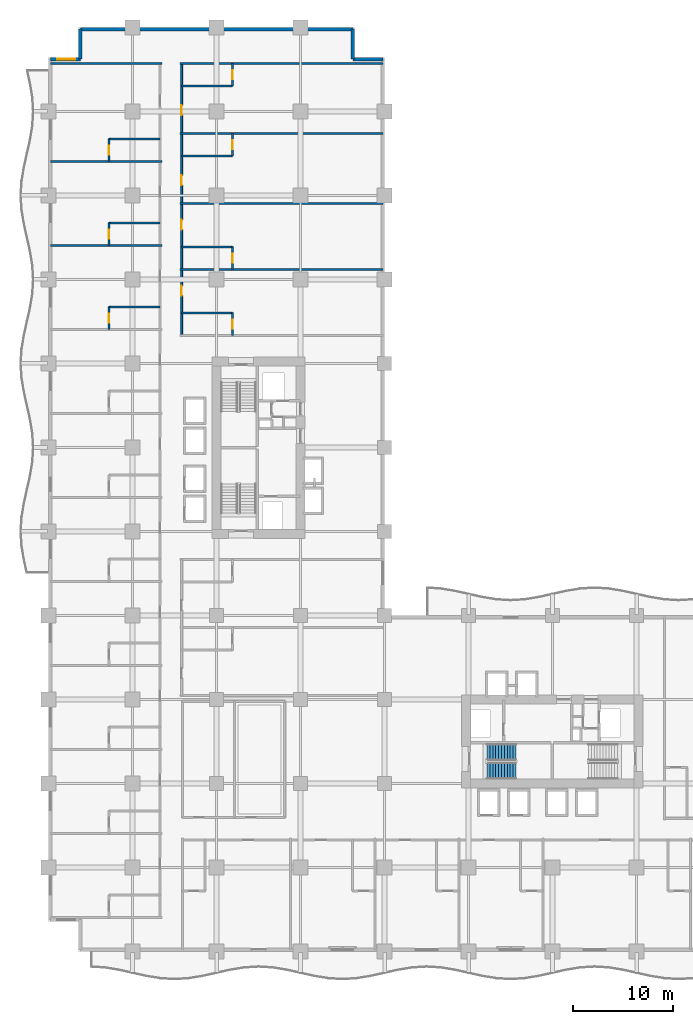
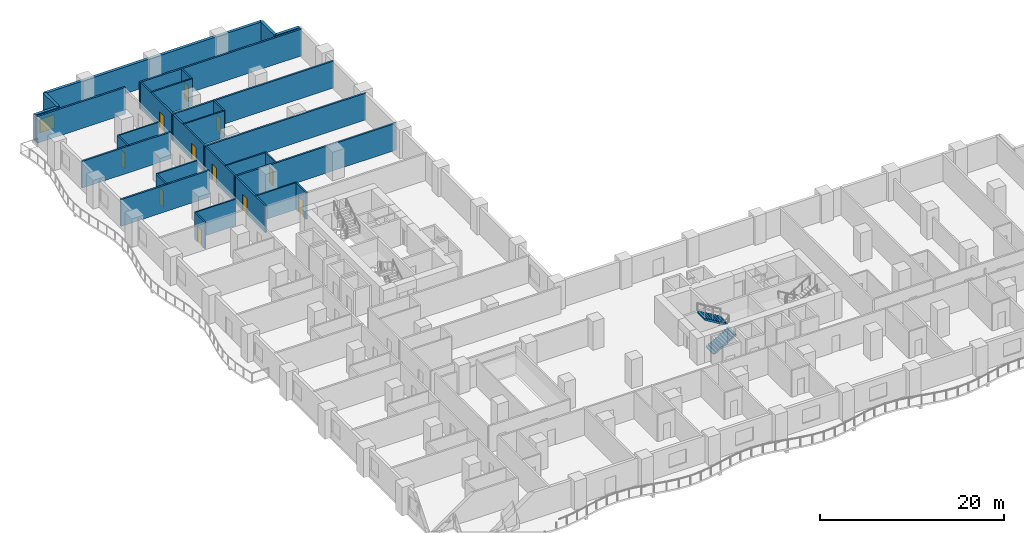
# One storey, part 20 of 26: 27 walls, 11 doors, 2 stair flights, 1 window, 12 openings, 1 element without a shape of its own.
"""IFC4 building model written with IfcOpenShell, lengths in metres."""

from ifc_helpers import new_model, si_unit, direction, frame, frame_2d, origin, place, context, subcontext, project, spatial, polyline, rectangle, outline, extrude, material, layer, layer_set, type_object, element, fill, aggregate, save


model = new_model("IFC4")

# Units and contexts
model_context = context("Model", 3, precision=1e-05, world=origin(), true_north=direction((0.0, 1.0)))
body_context = subcontext(model_context, "Body", "Model", "MODEL_VIEW")
ifc_project = project(units=[si_unit("LENGTHUNIT", "METRE"), si_unit("AREAUNIT", "SQUARE_METRE"), si_unit("VOLUMEUNIT", "CUBIC_METRE"), si_unit("PLANEANGLEUNIT", "RADIAN"), si_unit("MASSUNIT", "GRAM", prefix="KILO")], contexts=[model_context])

# Site, building, storey
site_placement = place(None, origin())
site = spatial("IfcSite", under=ifc_project, at=site_placement, CompositionType="ELEMENT")
building_placement = place(site_placement, origin())
building = spatial("IfcBuilding", under=site, at=building_placement, Name="Koriwani Terraces Tower", CompositionType="ELEMENT")
storey_placement = place(building_placement, frame((0.0, 0.0, 39.60009765625)))
storey = spatial("IfcBuildingStorey", under=building, at=storey_placement, Name="L08", CompositionType="ELEMENT", Elevation=39.60009765625)

# Wall, openings, doors
ifc_material_1 = material(Name="Autoclaved Cellular Concrete Blockwork", Category="masonry")
ifc_layer_1 = layer(ifc_material_1, 0.199951171875, Name="Autoclaved Cellular Concrete Blockwork")
ifc_layer_set_1 = layer_set([ifc_layer_1], Name="Autoclaved Cellular Concrete Blockwork")
wall_type_1 = type_object("IfcWallType", Name="WALL_CORRIDOR_200", PredefinedType="PARTITIONING", material=ifc_layer_set_1)
wall_1_placement = place(storey_placement, frame((13.300048828125, 61.60009765625, 0.0), z_axis=(0.0, 0.0, 1.0), x_axis=(0.0, 1.0, 0.0)))
wall_1 = element("IfcWall", 1, at=wall_1_placement, inside=storey, type_object=wall_type_1, Name="L08 Interior Wall WCOR-L08-NE-0", PredefinedType="PARTITIONING", context=body_context, shape_type="SweptSolid", body=[
    extrude(rectangle(XDim=27.199951171875, YDim=0.199951171875, at=frame_2d((13.60009765625, 0.0))), origin(), (0.0, 0.0, 1.0), 3.5498046875),
])
opening_1_placement = place(wall_1_placement, frame((3.965087890625, 0.0, 0.0)))
opening_1 = element("IfcOpeningElement", 2, at=opening_1_placement, cuts=wall_1, Name="Opening D-05", PredefinedType="OPENING", context=body_context, shape_type="SweptSolid", body=[
    extrude(rectangle(XDim=1.0, YDim=2.14990234375, at=frame_2d((0.5, 1.074951171875))), frame((0.0, 0.10986328125, 0.0), z_axis=(0.0, -1.0, 0.0), x_axis=(1.0, 0.0, 0.0)), (0.0, 0.0, 1.0), 0.219970703125),
])
opening_2_placement = place(wall_1_placement, frame((10.56494140625, 0.0, 0.0)))
opening_2 = element("IfcOpeningElement", 3, at=opening_2_placement, cuts=wall_1, Name="Opening D-05", PredefinedType="OPENING", context=body_context, shape_type="SweptSolid", body=[
    extrude(rectangle(XDim=1.0, YDim=2.14990234375, at=frame_2d((0.5, 1.074951171875))), frame((0.0, 0.10986328125, 0.0), z_axis=(0.0, -1.0, 0.0), x_axis=(1.0, 0.0, 0.0)), (0.0, 0.0, 1.0), 0.219970703125),
])
opening_3_placement = place(wall_1_placement, frame((15.034912109375, 0.0, 0.0)))
opening_3 = element("IfcOpeningElement", 4, at=opening_3_placement, cuts=wall_1, Name="Opening D-05", PredefinedType="OPENING", context=body_context, shape_type="SweptSolid", body=[
    extrude(rectangle(XDim=1.0, YDim=2.14990234375, at=frame_2d((0.5, 1.074951171875))), frame((0.0, 0.10986328125, 0.0), z_axis=(0.0, -1.0, 0.0), x_axis=(1.0, 0.0, 0.0)), (0.0, 0.0, 1.0), 0.219970703125),
])
opening_4_placement = place(wall_1_placement, frame((22.034912109375, 0.0, 0.0)))
opening_4 = element("IfcOpeningElement", 5, at=opening_4_placement, cuts=wall_1, Name="Opening D-05", PredefinedType="OPENING", context=body_context, shape_type="SweptSolid", body=[
    extrude(rectangle(XDim=1.0, YDim=2.14990234375, at=frame_2d((0.5, 1.074951171875))), frame((0.0, 0.10986328125, 0.0), z_axis=(0.0, -1.0, 0.0), x_axis=(1.0, 0.0, 0.0)), (0.0, 0.0, 1.0), 0.219970703125),
])
ifc_material_2 = material(Name="Architectural Oak Fire Door", Category="wood")
door_type_1 = type_object("IfcDoorType", Name="DOOR_SUITE_ENTRY_1000X2150", OperationType="NOTDEFINED", PredefinedType="DOOR", material=ifc_material_2)
door_1_placement = place(opening_1_placement, origin())
door_1 = element("IfcDoor", 6, at=door_1_placement, inside=storey, type_object=door_type_1, Name="Luxury Hotel Suite 08NE1 Entrance Door", OperationType="SINGLE_SWING_RIGHT", OverallHeight=2.14990234375, OverallWidth=1.0, PredefinedType="DOOR", context=body_context, shape_type="SweptSolid", body=[
    extrude(rectangle(XDim=1.0, YDim=2.14990234375, at=frame_2d((0.5, 1.074951171875))), frame((0.0, 0.02490234375, 0.0), z_axis=(0.0, -1.0, 0.0), x_axis=(1.0, 0.0, 0.0)), (0.0, 0.0, 1.0), 0.050048828125),
])
fill(opening_1, door_1)
door_2_placement = place(opening_2_placement, origin())
door_2 = element("IfcDoor", 7, at=door_2_placement, inside=storey, type_object=door_type_1, Name="Luxury Hotel Suite 08NE2 Entrance Door", OperationType="SINGLE_SWING_RIGHT", OverallHeight=2.14990234375, OverallWidth=1.0, PredefinedType="DOOR", context=body_context, shape_type="SweptSolid", body=[
    extrude(rectangle(XDim=1.0, YDim=2.14990234375, at=frame_2d((0.5, 1.074951171875))), frame((0.0, 0.02490234375, 0.0), z_axis=(0.0, -1.0, 0.0), x_axis=(1.0, 0.0, 0.0)), (0.0, 0.0, 1.0), 0.050048828125),
])
fill(opening_2, door_2)
door_3_placement = place(opening_3_placement, origin())
door_3 = element("IfcDoor", 8, at=door_3_placement, inside=storey, type_object=door_type_1, Name="Luxury Hotel Suite 08NE3 Entrance Door", OperationType="SINGLE_SWING_RIGHT", OverallHeight=2.14990234375, OverallWidth=1.0, PredefinedType="DOOR", context=body_context, shape_type="SweptSolid", body=[
    extrude(rectangle(XDim=1.0, YDim=2.14990234375, at=frame_2d((0.5, 1.074951171875))), frame((0.0, 0.02490234375, 0.0), z_axis=(0.0, -1.0, 0.0), x_axis=(1.0, 0.0, 0.0)), (0.0, 0.0, 1.0), 0.050048828125),
])
fill(opening_3, door_3)
door_4_placement = place(opening_4_placement, origin())
door_4 = element("IfcDoor", 9, at=door_4_placement, inside=storey, type_object=door_type_1, Name="Luxury Hotel Suite 08NE4 Entrance Door", OperationType="SINGLE_SWING_RIGHT", OverallHeight=2.14990234375, OverallWidth=1.0, PredefinedType="DOOR", context=body_context, shape_type="SweptSolid", body=[
    extrude(rectangle(XDim=1.0, YDim=2.14990234375, at=frame_2d((0.5, 1.074951171875))), frame((0.0, 0.02490234375, 0.0), z_axis=(0.0, -1.0, 0.0), x_axis=(1.0, 0.0, 0.0)), (0.0, 0.0, 1.0), 0.050048828125),
])
fill(opening_4, door_4)

# Walls
ifc_layer_2 = layer(ifc_material_1, 0.219970703125, Name="Autoclaved Cellular Concrete Blockwork")
ifc_layer_set_2 = layer_set([ifc_layer_2], Name="Autoclaved Cellular Concrete Blockwork")
wall_type_2 = type_object("IfcWallType", Name="WALL_DEMISING_220", PredefinedType="PARTITIONING", material=ifc_layer_set_2)
for number, where, z_axis, x_axis, name in (
    (10, (0.199951171875, 70.60009765625, 0.0), (0.0, 0.0, 1.0), (1.0, 0.0, 0.0), "L08 Interior Wall WDEM-L08-NW-8"),
    (11, (0.199951171875, 79.0, 0.0), (0.0, 0.0, 1.0), (1.0, 0.0, 0.0), "L08 Interior Wall WDEM-L08-NW-9"),
    (12, (0.199951171875, 88.800048828125, 0.0), (0.0, 0.0, 1.0), (1.0, 0.0, 0.0), "L08 Interior Wall WDEME-L08-NW"),
):
    element("IfcWall", number, at=place(storey_placement, frame(where, z_axis=z_axis, x_axis=x_axis)), inside=storey, type_object=wall_type_2, Name=name, PredefinedType="PARTITIONING", context=body_context, shape_type="SweptSolid", body=[
        extrude(rectangle(XDim=11.130126953125, YDim=0.219970703125, at=frame_2d((5.56494140625, 0.0))), origin(), (0.0, 0.0, 1.0), 3.5498046875),
    ])
for number, where, z_axis, x_axis, name in (
    (13, (13.14990234375, 68.199951171875, 0.0), (0.0, 0.0, 1.0), (1.0, 0.0, 0.0), "L08 Interior Wall WDEM-L08-NE-1"),
    (14, (13.14990234375, 74.800048828125, 0.0), (0.0, 0.0, 1.0), (1.0, 0.0, 0.0), "L08 Interior Wall WDEM-L08-NE-2"),
    (15, (13.14990234375, 81.800048828125, 0.0), (0.0, 0.0, 1.0), (1.0, 0.0, 0.0), "L08 Interior Wall WDEM-L08-NE-3"),
    (16, (13.14990234375, 88.800048828125, 0.0), (0.0, 0.0, 1.0), (1.0, 0.0, 0.0), "L08 Interior Wall WDEME-L08-NE"),
):
    element("IfcWall", number, at=place(storey_placement, frame(where, z_axis=z_axis, x_axis=x_axis)), inside=storey, type_object=wall_type_2, Name=name, PredefinedType="PARTITIONING", context=body_context, shape_type="SweptSolid", body=[
        extrude(rectangle(XDim=20.280029296875, YDim=0.219970703125, at=frame_2d((10.14013671875, 0.0))), origin(), (0.0, 0.0, 1.0), 3.5498046875),
    ])

# Wall, opening, window
ifc_material_3 = material(Name="Concrete C50/60", Category="concrete")
ifc_layer_3 = layer(ifc_material_3, 0.35009765625, Name="Concrete C50/60")
ifc_layer_set_3 = layer_set([ifc_layer_3], Name="Concrete C50/60")
wall_type_3 = type_object("IfcWallType", Name="WALL_EXT_BRUTALIST_350", PredefinedType="STANDARD", material=ifc_layer_set_3)
wall_2_placement = place(storey_placement, frame((0.175048828125, 89.22509765625, 0.0), z_axis=(0.0, 0.0, 1.0), x_axis=(1.0, 0.0, 0.0)))
wall_2 = element("IfcWall", 17, at=wall_2_placement, inside=storey, type_object=wall_type_3, Name="L08 Fair-Faced Brutalist Exterior Wall (N3)", PredefinedType="STANDARD", context=body_context, shape_type="SweptSolid", body=[
    extrude(rectangle(XDim=3.0, YDim=0.35009765625, at=frame_2d((1.5, 0.0))), origin(), (0.0, 0.0, 1.0), 3.5498046875),
])
opening_5_placement = place(wall_2_placement, frame((0.677490234375, 0.0, 0.85009765625)))
opening_5 = element("IfcOpeningElement", 18, at=opening_5_placement, cuts=wall_2, Name="Opening W-04", PredefinedType="OPENING", context=body_context, shape_type="SweptSolid", body=[
    extrude(rectangle(XDim=1.800048828125, YDim=1.800048828125, at=frame_2d((0.89990234375, 0.89990234375))), frame((0.0, 0.18505859375, 0.0), z_axis=(0.0, -1.0, 0.0), x_axis=(1.0, 0.0, 0.0)), (0.0, 0.0, 1.0), 0.3701171875),
])
ifc_material_4 = material(Name="Tempered Laminated Low-E Glass", Category="glass")
window_type = type_object("IfcWindowType", Name="WIN_RES_BED_1800X1800", PartitioningType="DOUBLE_PANEL_VERTICAL", PredefinedType="WINDOW", material=ifc_material_4)
window_placement = place(opening_5_placement, origin())
window = element("IfcWindow", 19, at=window_placement, inside=storey, type_object=window_type, Name="L08 Exterior Window (N3-R54)", OverallHeight=1.800048828125, OverallWidth=1.800048828125, PartitioningType="SINGLE_PANEL", PredefinedType="WINDOW", context=body_context, shape_type="SweptSolid", body=[
    extrude(rectangle(XDim=1.800048828125, YDim=1.800048828125, at=frame_2d((0.89990234375, 0.89990234375))), frame((0.0, 0.030029296875, 0.0), z_axis=(0.0, -1.0, 0.0), x_axis=(1.0, 0.0, 0.0)), (0.0, 0.0, 1.0), 0.06005859375),
])
fill(opening_5, window)

# Walls
wall_3_placement = place(storey_placement, frame((3.175048828125, 89.22509765625, 0.0), z_axis=(0.0, 0.0, 1.0), x_axis=(0.0, 1.0, 0.0)))
element("IfcWall", 20, at=wall_3_placement, inside=storey, type_object=wall_type_3, Name="L08 Fair-Faced Brutalist Exterior Wall (N4)", PredefinedType="STANDARD", context=body_context, shape_type="SweptSolid", body=[
    extrude(rectangle(XDim=3.0, YDim=0.35009765625, at=frame_2d((1.5, 0.0))), origin(), (0.0, 0.0, 1.0), 3.5498046875),
])
wall_4_placement = place(storey_placement, frame((3.175048828125, 92.22509765625, 0.0), z_axis=(0.0, 0.0, 1.0), x_axis=(1.0, 0.0, 0.0)))
element("IfcWall", 21, at=wall_4_placement, inside=storey, type_object=wall_type_3, Name="L08 Fair-Faced Brutalist Exterior Wall (N_TIP)", PredefinedType="STANDARD", context=body_context, shape_type="SweptSolid", body=[
    extrude(rectangle(XDim=27.25, YDim=0.35009765625, at=frame_2d((13.625, 0.0))), origin(), (0.0, 0.0, 1.0), 3.5498046875),
])
for number, where, z_axis, x_axis, name in (
    (22, (30.425048828125, 92.22509765625, 0.0), (0.0, 0.0, 1.0), (0.0, -1.0, 0.0), "L08 Fair-Faced Brutalist Exterior Wall (N6)"),
    (23, (30.425048828125, 89.22509765625, 0.0), (0.0, 0.0, 1.0), (1.0, 0.0, 0.0), "L08 Fair-Faced Brutalist Exterior Wall (N7)"),
):
    element("IfcWall", number, at=place(storey_placement, frame(where, z_axis=z_axis, x_axis=x_axis)), inside=storey, type_object=wall_type_3, Name=name, PredefinedType="STANDARD", context=body_context, shape_type="SweptSolid", body=[
        extrude(rectangle(XDim=3.0, YDim=0.35009765625, at=frame_2d((1.5, 0.0))), origin(), (0.0, 0.0, 1.0), 3.5498046875),
    ])

# Wall, opening, door
ifc_material_5 = material(Name="Fire-Rated Acoustic Gypsum Partition", Category="masonry")
ifc_layer_4 = layer(ifc_material_5, 0.179931640625, Name="Fire-Rated Acoustic Gypsum Partition")
ifc_layer_set_4 = layer_set([ifc_layer_4], Name="Fire-Rated Acoustic Gypsum Partition")
wall_type_4 = type_object("IfcWallType", Name="WALL_PLUMBING_180", PredefinedType="PLUMBINGWALL", material=ifc_layer_set_4)
wall_5_placement = place(storey_placement, frame((6.050048828125, 62.199951171875, 0.0), z_axis=(0.0, 0.0, 1.0), x_axis=(0.0, 1.0, 0.0)))
wall_5 = element("IfcWall", 24, at=wall_5_placement, inside=storey, type_object=wall_type_4, Name="L08 Interior Wall WBTH1-L08-NW-7", PredefinedType="PLUMBINGWALL", context=body_context, shape_type="SweptSolid", body=[
    extrude(rectangle(XDim=2.25, YDim=0.179931640625, at=frame_2d((1.125, 0.0))), origin(), (0.0, 0.0, 1.0), 3.5498046875),
])
opening_6_placement = place(wall_5_placement, frame((0.675048828125, 0.0, 0.0)))
opening_6 = element("IfcOpeningElement", 25, at=opening_6_placement, cuts=wall_5, Name="Opening D-07", PredefinedType="OPENING", context=body_context, shape_type="SweptSolid", body=[
    extrude(rectangle(XDim=0.89990234375, YDim=2.10009765625, at=frame_2d((0.449951171875, 1.050048828125))), frame((0.0, 0.10009765625, 0.0), z_axis=(0.0, -1.0, 0.0), x_axis=(1.0, 0.0, 0.0)), (0.0, 0.0, 1.0), 0.199951171875),
])
door_type_2 = type_object("IfcDoorType", Name="DOOR_BATH_INT_900X2100", OperationType="NOTDEFINED", PredefinedType="DOOR", material=ifc_material_2)
door_5_placement = place(opening_6_placement, origin())
door_5 = element("IfcDoor", 26, at=door_5_placement, inside=storey, type_object=door_type_2, Name="En-Suite Bathroom 08NW8 Door", OperationType="SINGLE_SWING_LEFT", OverallHeight=2.10009765625, OverallWidth=0.89990234375, PredefinedType="DOOR", context=body_context, shape_type="SweptSolid", body=[
    extrude(rectangle(XDim=0.89990234375, YDim=2.10009765625, at=frame_2d((0.449951171875, 1.050048828125))), frame((0.0, 0.02490234375, 0.0), z_axis=(0.0, -1.0, 0.0), x_axis=(1.0, 0.0, 0.0)), (0.0, 0.0, 1.0), 0.050048828125),
])
fill(opening_6, door_5)

# Wall
wall_6_placement = place(storey_placement, frame((6.050048828125, 64.449951171875, 0.0), z_axis=(0.0, 0.0, 1.0), x_axis=(1.0, 0.0, 0.0)))
element("IfcWall", 27, at=wall_6_placement, inside=storey, type_object=wall_type_4, Name="L08 Interior Wall WBTH2-L08-NW-7", PredefinedType="PLUMBINGWALL", context=body_context, shape_type="SweptSolid", body=[
    extrude(rectangle(XDim=5.099853515625, YDim=0.179931640625, at=frame_2d((2.5498046875, 0.0))), origin(), (0.0, 0.0, 1.0), 3.5498046875),
])

# Wall, opening, door
wall_7_placement = place(storey_placement, frame((6.050048828125, 70.60009765625, 0.0), z_axis=(0.0, 0.0, 1.0), x_axis=(0.0, 1.0, 0.0)))
wall_7 = element("IfcWall", 28, at=wall_7_placement, inside=storey, type_object=wall_type_4, Name="L08 Interior Wall WBTH1-L08-NW-8", PredefinedType="PLUMBINGWALL", context=body_context, shape_type="SweptSolid", body=[
    extrude(rectangle(XDim=2.25, YDim=0.179931640625, at=frame_2d((1.125, 0.0))), origin(), (0.0, 0.0, 1.0), 3.5498046875),
])
opening_7_placement = place(wall_7_placement, frame((0.675048828125, 0.0, 0.0)))
opening_7 = element("IfcOpeningElement", 29, at=opening_7_placement, cuts=wall_7, Name="Opening D-07", PredefinedType="OPENING", context=body_context, shape_type="SweptSolid", body=[
    extrude(rectangle(XDim=0.89990234375, YDim=2.10009765625, at=frame_2d((0.449951171875, 1.050048828125))), frame((0.0, 0.10009765625, 0.0), z_axis=(0.0, -1.0, 0.0), x_axis=(1.0, 0.0, 0.0)), (0.0, 0.0, 1.0), 0.199951171875),
])
door_6_placement = place(opening_7_placement, origin())
door_6 = element("IfcDoor", 30, at=door_6_placement, inside=storey, type_object=door_type_2, Name="En-Suite Bathroom 08NW9 Door", OperationType="SINGLE_SWING_LEFT", OverallHeight=2.10009765625, OverallWidth=0.89990234375, PredefinedType="DOOR", context=body_context, shape_type="SweptSolid", body=[
    extrude(rectangle(XDim=0.89990234375, YDim=2.10009765625, at=frame_2d((0.449951171875, 1.050048828125))), frame((0.0, 0.02490234375, 0.0), z_axis=(0.0, -1.0, 0.0), x_axis=(1.0, 0.0, 0.0)), (0.0, 0.0, 1.0), 0.050048828125),
])
fill(opening_7, door_6)

# Wall
wall_8_placement = place(storey_placement, frame((6.050048828125, 72.85009765625, 0.0), z_axis=(0.0, 0.0, 1.0), x_axis=(1.0, 0.0, 0.0)))
element("IfcWall", 31, at=wall_8_placement, inside=storey, type_object=wall_type_4, Name="L08 Interior Wall WBTH2-L08-NW-8", PredefinedType="PLUMBINGWALL", context=body_context, shape_type="SweptSolid", body=[
    extrude(rectangle(XDim=5.099853515625, YDim=0.179931640625, at=frame_2d((2.5498046875, 0.0))), origin(), (0.0, 0.0, 1.0), 3.5498046875),
])

# Wall, opening, door
wall_9_placement = place(storey_placement, frame((6.050048828125, 79.0, 0.0), z_axis=(0.0, 0.0, 1.0), x_axis=(0.0, 1.0, 0.0)))
wall_9 = element("IfcWall", 32, at=wall_9_placement, inside=storey, type_object=wall_type_4, Name="L08 Interior Wall WBTH1-L08-NW-9", PredefinedType="PLUMBINGWALL", context=body_context, shape_type="SweptSolid", body=[
    extrude(rectangle(XDim=2.25, YDim=0.179931640625, at=frame_2d((1.125, 0.0))), origin(), (0.0, 0.0, 1.0), 3.5498046875),
])
opening_8_placement = place(wall_9_placement, frame((0.675048828125, 0.0, 0.0)))
opening_8 = element("IfcOpeningElement", 33, at=opening_8_placement, cuts=wall_9, Name="Opening D-07", PredefinedType="OPENING", context=body_context, shape_type="SweptSolid", body=[
    extrude(rectangle(XDim=0.89990234375, YDim=2.10009765625, at=frame_2d((0.449951171875, 1.050048828125))), frame((0.0, 0.10009765625, 0.0), z_axis=(0.0, -1.0, 0.0), x_axis=(1.0, 0.0, 0.0)), (0.0, 0.0, 1.0), 0.199951171875),
])
door_7_placement = place(opening_8_placement, origin())
door_7 = element("IfcDoor", 34, at=door_7_placement, inside=storey, type_object=door_type_2, Name="En-Suite Bathroom 08NW10 Door", OperationType="SINGLE_SWING_LEFT", OverallHeight=2.10009765625, OverallWidth=0.89990234375, PredefinedType="DOOR", context=body_context, shape_type="SweptSolid", body=[
    extrude(rectangle(XDim=0.89990234375, YDim=2.10009765625, at=frame_2d((0.449951171875, 1.050048828125))), frame((0.0, 0.02490234375, 0.0), z_axis=(0.0, -1.0, 0.0), x_axis=(1.0, 0.0, 0.0)), (0.0, 0.0, 1.0), 0.050048828125),
])
fill(opening_8, door_7)

# Wall
wall_10_placement = place(storey_placement, frame((6.050048828125, 81.25, 0.0), z_axis=(0.0, 0.0, 1.0), x_axis=(1.0, 0.0, 0.0)))
element("IfcWall", 35, at=wall_10_placement, inside=storey, type_object=wall_type_4, Name="L08 Interior Wall WBTH2-L08-NW-9", PredefinedType="PLUMBINGWALL", context=body_context, shape_type="SweptSolid", body=[
    extrude(rectangle(XDim=5.099853515625, YDim=0.179931640625, at=frame_2d((2.5498046875, 0.0))), origin(), (0.0, 0.0, 1.0), 3.5498046875),
])

# Wall, opening, door
wall_11_placement = place(storey_placement, frame((18.39990234375, 61.60009765625, 0.0), z_axis=(0.0, 0.0, 1.0), x_axis=(0.0, 1.0, 0.0)))
wall_11 = element("IfcWall", 36, at=wall_11_placement, inside=storey, type_object=wall_type_4, Name="L08 Interior Wall WBTH1-L08-NE-0", PredefinedType="PLUMBINGWALL", context=body_context, shape_type="SweptSolid", body=[
    extrude(rectangle(XDim=2.25, YDim=0.179931640625, at=frame_2d((1.125, 0.0))), origin(), (0.0, 0.0, 1.0), 3.5498046875),
])
opening_9_placement = place(wall_11_placement, frame((0.675048828125, 0.0, 0.0)))
opening_9 = element("IfcOpeningElement", 37, at=opening_9_placement, cuts=wall_11, Name="Opening D-07", PredefinedType="OPENING", context=body_context, shape_type="SweptSolid", body=[
    extrude(rectangle(XDim=0.89990234375, YDim=2.10009765625, at=frame_2d((0.449951171875, 1.050048828125))), frame((0.0, 0.10009765625, 0.0), z_axis=(0.0, -1.0, 0.0), x_axis=(1.0, 0.0, 0.0)), (0.0, 0.0, 1.0), 0.199951171875),
])
door_8_placement = place(opening_9_placement, origin())
door_8 = element("IfcDoor", 38, at=door_8_placement, inside=storey, type_object=door_type_2, Name="En-Suite Bathroom 08NE1 Door", OperationType="SINGLE_SWING_LEFT", OverallHeight=2.10009765625, OverallWidth=0.89990234375, PredefinedType="DOOR", context=body_context, shape_type="SweptSolid", body=[
    extrude(rectangle(XDim=0.89990234375, YDim=2.10009765625, at=frame_2d((0.449951171875, 1.050048828125))), frame((0.0, 0.02490234375, 0.0), z_axis=(0.0, -1.0, 0.0), x_axis=(1.0, 0.0, 0.0)), (0.0, 0.0, 1.0), 0.050048828125),
])
fill(opening_9, door_8)

# Wall
wall_12_placement = place(storey_placement, frame((13.300048828125, 63.85009765625, 0.0), z_axis=(0.0, 0.0, 1.0), x_axis=(1.0, 0.0, 0.0)))
element("IfcWall", 39, at=wall_12_placement, inside=storey, type_object=wall_type_4, Name="L08 Interior Wall WBTH2-L08-NE-0", PredefinedType="PLUMBINGWALL", context=body_context, shape_type="SweptSolid", body=[
    extrude(rectangle(XDim=5.099853515625, YDim=0.179931640625, at=frame_2d((2.5498046875, 0.0))), origin(), (0.0, 0.0, 1.0), 3.5498046875),
])

# Wall, opening, door
wall_13_placement = place(storey_placement, frame((18.39990234375, 68.199951171875, 0.0), z_axis=(0.0, 0.0, 1.0), x_axis=(0.0, 1.0, 0.0)))
wall_13 = element("IfcWall", 40, at=wall_13_placement, inside=storey, type_object=wall_type_4, Name="L08 Interior Wall WBTH1-L08-NE-1", PredefinedType="PLUMBINGWALL", context=body_context, shape_type="SweptSolid", body=[
    extrude(rectangle(XDim=2.25, YDim=0.179931640625, at=frame_2d((1.125, 0.0))), origin(), (0.0, 0.0, 1.0), 3.5498046875),
])
opening_10_placement = place(wall_13_placement, frame((0.675048828125, 0.0, 0.0)))
opening_10 = element("IfcOpeningElement", 41, at=opening_10_placement, cuts=wall_13, Name="Opening D-07", PredefinedType="OPENING", context=body_context, shape_type="SweptSolid", body=[
    extrude(rectangle(XDim=0.89990234375, YDim=2.10009765625, at=frame_2d((0.449951171875, 1.050048828125))), frame((0.0, 0.10009765625, 0.0), z_axis=(0.0, -1.0, 0.0), x_axis=(1.0, 0.0, 0.0)), (0.0, 0.0, 1.0), 0.199951171875),
])
door_9_placement = place(opening_10_placement, origin())
door_9 = element("IfcDoor", 42, at=door_9_placement, inside=storey, type_object=door_type_2, Name="En-Suite Bathroom 08NE2 Door", OperationType="SINGLE_SWING_LEFT", OverallHeight=2.10009765625, OverallWidth=0.89990234375, PredefinedType="DOOR", context=body_context, shape_type="SweptSolid", body=[
    extrude(rectangle(XDim=0.89990234375, YDim=2.10009765625, at=frame_2d((0.449951171875, 1.050048828125))), frame((0.0, 0.02490234375, 0.0), z_axis=(0.0, -1.0, 0.0), x_axis=(1.0, 0.0, 0.0)), (0.0, 0.0, 1.0), 0.050048828125),
])
fill(opening_10, door_9)

# Wall
wall_14_placement = place(storey_placement, frame((13.300048828125, 70.449951171875, 0.0), z_axis=(0.0, 0.0, 1.0), x_axis=(1.0, 0.0, 0.0)))
element("IfcWall", 43, at=wall_14_placement, inside=storey, type_object=wall_type_4, Name="L08 Interior Wall WBTH2-L08-NE-1", PredefinedType="PLUMBINGWALL", context=body_context, shape_type="SweptSolid", body=[
    extrude(rectangle(XDim=5.099853515625, YDim=0.179931640625, at=frame_2d((2.5498046875, 0.0))), origin(), (0.0, 0.0, 1.0), 3.5498046875),
])

# Wall, opening, door
wall_15_placement = place(storey_placement, frame((18.39990234375, 79.550048828125, 0.0), z_axis=(0.0, 0.0, 1.0), x_axis=(0.0, 1.0, 0.0)))
wall_15 = element("IfcWall", 44, at=wall_15_placement, inside=storey, type_object=wall_type_4, Name="L08 Interior Wall WBTH1-L08-NE-2", PredefinedType="PLUMBINGWALL", context=body_context, shape_type="SweptSolid", body=[
    extrude(rectangle(XDim=2.25, YDim=0.179931640625, at=frame_2d((1.125, 0.0))), origin(), (0.0, 0.0, 1.0), 3.5498046875),
])
opening_11_placement = place(wall_15_placement, frame((0.675048828125, 0.0, 0.0)))
opening_11 = element("IfcOpeningElement", 45, at=opening_11_placement, cuts=wall_15, Name="Opening D-07", PredefinedType="OPENING", context=body_context, shape_type="SweptSolid", body=[
    extrude(rectangle(XDim=0.89990234375, YDim=2.10009765625, at=frame_2d((0.449951171875, 1.050048828125))), frame((0.0, 0.10009765625, 0.0), z_axis=(0.0, -1.0, 0.0), x_axis=(1.0, 0.0, 0.0)), (0.0, 0.0, 1.0), 0.199951171875),
])
door_10_placement = place(opening_11_placement, origin())
door_10 = element("IfcDoor", 46, at=door_10_placement, inside=storey, type_object=door_type_2, Name="En-Suite Bathroom 08NE3 Door", OperationType="SINGLE_SWING_LEFT", OverallHeight=2.10009765625, OverallWidth=0.89990234375, PredefinedType="DOOR", context=body_context, shape_type="SweptSolid", body=[
    extrude(rectangle(XDim=0.89990234375, YDim=2.10009765625, at=frame_2d((0.449951171875, 1.050048828125))), frame((0.0, 0.02490234375, 0.0), z_axis=(0.0, -1.0, 0.0), x_axis=(1.0, 0.0, 0.0)), (0.0, 0.0, 1.0), 0.050048828125),
])
fill(opening_11, door_10)

# Wall
wall_16_placement = place(storey_placement, frame((13.300048828125, 79.550048828125, 0.0), z_axis=(0.0, 0.0, 1.0), x_axis=(1.0, 0.0, 0.0)))
element("IfcWall", 47, at=wall_16_placement, inside=storey, type_object=wall_type_4, Name="L08 Interior Wall WBTH2-L08-NE-2", PredefinedType="PLUMBINGWALL", context=body_context, shape_type="SweptSolid", body=[
    extrude(rectangle(XDim=5.099853515625, YDim=0.179931640625, at=frame_2d((2.5498046875, 0.0))), origin(), (0.0, 0.0, 1.0), 3.5498046875),
])

# Wall, opening, door
wall_17_placement = place(storey_placement, frame((18.39990234375, 86.550048828125, 0.0), z_axis=(0.0, 0.0, 1.0), x_axis=(0.0, 1.0, 0.0)))
wall_17 = element("IfcWall", 48, at=wall_17_placement, inside=storey, type_object=wall_type_4, Name="L08 Interior Wall WBTH1-L08-NE-3", PredefinedType="PLUMBINGWALL", context=body_context, shape_type="SweptSolid", body=[
    extrude(rectangle(XDim=2.25, YDim=0.179931640625, at=frame_2d((1.125, 0.0))), origin(), (0.0, 0.0, 1.0), 3.5498046875),
])
opening_12_placement = place(wall_17_placement, frame((0.675048828125, 0.0, 0.0)))
opening_12 = element("IfcOpeningElement", 49, at=opening_12_placement, cuts=wall_17, Name="Opening D-07", PredefinedType="OPENING", context=body_context, shape_type="SweptSolid", body=[
    extrude(rectangle(XDim=0.89990234375, YDim=2.10009765625, at=frame_2d((0.449951171875, 1.050048828125))), frame((0.0, 0.10009765625, 0.0), z_axis=(0.0, -1.0, 0.0), x_axis=(1.0, 0.0, 0.0)), (0.0, 0.0, 1.0), 0.199951171875),
])
door_11_placement = place(opening_12_placement, origin())
door_11 = element("IfcDoor", 50, at=door_11_placement, inside=storey, type_object=door_type_2, Name="En-Suite Bathroom 08NE4 Door", OperationType="SINGLE_SWING_LEFT", OverallHeight=2.10009765625, OverallWidth=0.89990234375, PredefinedType="DOOR", context=body_context, shape_type="SweptSolid", body=[
    extrude(rectangle(XDim=0.89990234375, YDim=2.10009765625, at=frame_2d((0.449951171875, 1.050048828125))), frame((0.0, 0.02490234375, 0.0), z_axis=(0.0, -1.0, 0.0), x_axis=(1.0, 0.0, 0.0)), (0.0, 0.0, 1.0), 0.050048828125),
])
fill(opening_12, door_11)

# Wall
wall_18_placement = place(storey_placement, frame((13.300048828125, 86.550048828125, 0.0), z_axis=(0.0, 0.0, 1.0), x_axis=(1.0, 0.0, 0.0)))
element("IfcWall", 51, at=wall_18_placement, inside=storey, type_object=wall_type_4, Name="L08 Interior Wall WBTH2-L08-NE-3", PredefinedType="PLUMBINGWALL", context=body_context, shape_type="SweptSolid", body=[
    extrude(rectangle(XDim=5.099853515625, YDim=0.179931640625, at=frame_2d((2.5498046875, 0.0))), origin(), (0.0, 0.0, 1.0), 3.5498046875),
])

# Stair, stair flights
ifc_material_6 = material(Name="Concrete C40/50", Category="concrete")
stair_type = type_object("IfcStairType", Name="STAIR_CORE_DOGLEG_1650", PredefinedType="TWO_STRAIGHT_RUN_STAIR", material=ifc_material_6)
stair_placement = place(storey_placement, origin())
stair = element("IfcStair", 52, at=stair_placement, inside=storey, type_object=stair_type, Name="L08 East Core Exit Stair 1", PredefinedType="HALF_TURN_STAIR")
stair_flight_type = type_object("IfcStairFlightType", Name="STAIR_FLIGHT_RC_1650", PredefinedType="STRAIGHT", material=ifc_material_6)
stair_flight_1_placement = place(storey_placement, frame((43.85009765625, 18.074951171875, 0.0), z_axis=(0.0, 0.0, 1.0), x_axis=(1.0, 0.0, 0.0)))
stair_flight_1 = element("IfcStairFlight", 53, at=stair_flight_1_placement, type_object=stair_flight_type, Name="ST-E1 flight 1", NumberOfRisers=11, NumberOfTreads=10, PredefinedType="STRAIGHT", RiserHeight=0.172727273, TreadLength=0.29, context=body_context, shape_type="SweptSolid", body=[
    extrude(outline(polyline([(0.0, 0.0), (0.0, 0.172607421875), (0.2900390625, 0.172607421875), (0.2900390625, 0.345458984375), (0.580078125, 0.345458984375), (0.580078125, 0.51806640625), (0.8701171875, 0.51806640625), (0.8701171875, 0.69091796875), (1.159912109375, 0.69091796875), (1.159912109375, 0.863525390625), (1.449951171875, 0.863525390625), (1.449951171875, 1.036376953125), (1.739990234375, 1.036376953125), (1.739990234375, 1.208984375), (2.030029296875, 1.208984375), (2.030029296875, 1.3818359375), (2.320068359375, 1.3818359375), (2.320068359375, 1.554443359375), (2.610107421875, 1.554443359375), (2.610107421875, 1.727294921875), (2.89990234375, 1.727294921875), (2.89990234375, 1.89990234375), (2.89990234375, 1.517822265625), (0.3515625, 0.0), (0.0, 0.0)])), frame((0.0, 0.824951171875, 0.0), z_axis=(0.0, -1.0, 0.0), x_axis=(1.0, 0.0, 0.0)), (0.0, 0.0, 1.0), 1.64990234375),
])
stair_flight_2_placement = place(storey_placement, frame((46.75, 19.925048828125, 1.89990234375), z_axis=(0.0, 0.0, 1.0), x_axis=(-1.0, 0.0, 0.0)))
stair_flight_2 = element("IfcStairFlight", 54, at=stair_flight_2_placement, type_object=stair_flight_type, Name="ST-E1 flight 2", NumberOfRisers=11, NumberOfTreads=10, PredefinedType="STRAIGHT", RiserHeight=0.172727273, TreadLength=0.29, context=body_context, shape_type="SweptSolid", body=[
    extrude(outline(polyline([(0.0, 0.0), (0.0, 0.172607421875), (0.2900390625, 0.172607421875), (0.2900390625, 0.345458984375), (0.580078125, 0.345458984375), (0.580078125, 0.51806640625), (0.8701171875, 0.51806640625), (0.8701171875, 0.69091796875), (1.159912109375, 0.69091796875), (1.159912109375, 0.863525390625), (1.449951171875, 0.863525390625), (1.449951171875, 1.036376953125), (1.739990234375, 1.036376953125), (1.739990234375, 1.208984375), (2.030029296875, 1.208984375), (2.030029296875, 1.3818359375), (2.320068359375, 1.3818359375), (2.320068359375, 1.554443359375), (2.610107421875, 1.554443359375), (2.610107421875, 1.727294921875), (2.89990234375, 1.727294921875), (2.89990234375, 1.89990234375), (2.89990234375, 1.517822265625), (0.3515625, 0.0), (0.0, 0.0)])), frame((0.0, 0.824951171875, 0.0), z_axis=(0.0, -1.0, 0.0), x_axis=(1.0, 0.0, 0.0)), (0.0, 0.0, 1.0), 1.64990234375),
])
aggregate(stair, [stair_flight_1, stair_flight_2])

save(model, "model.ifc")
